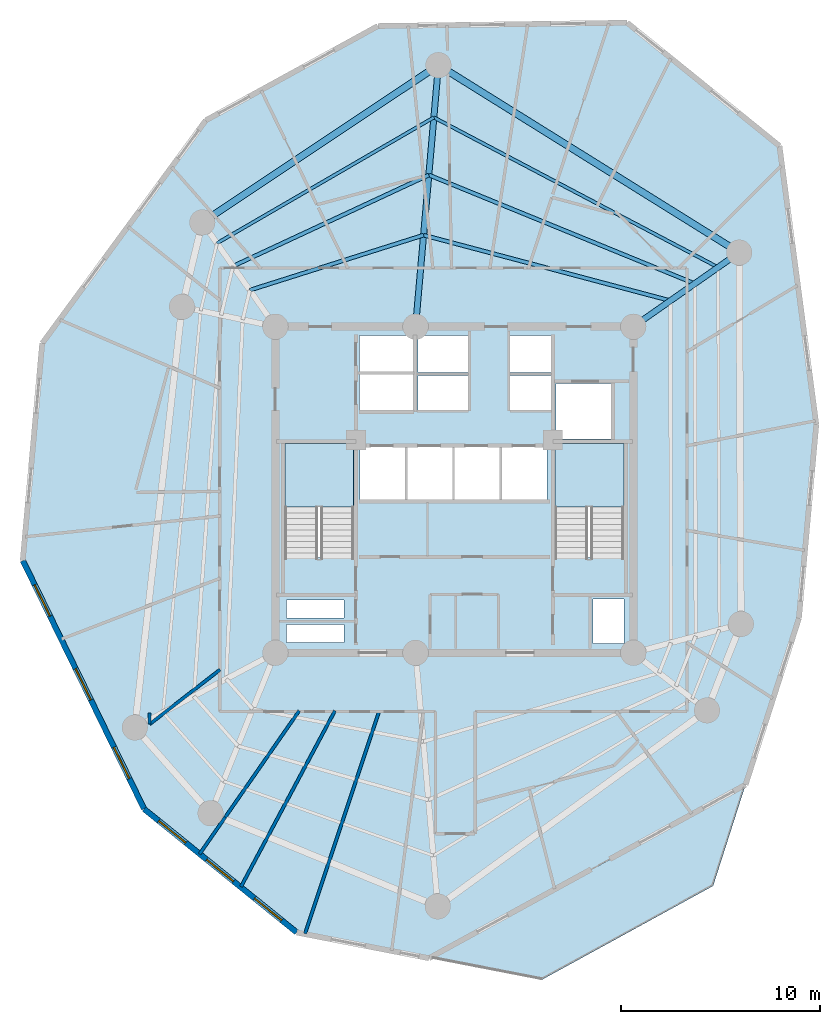
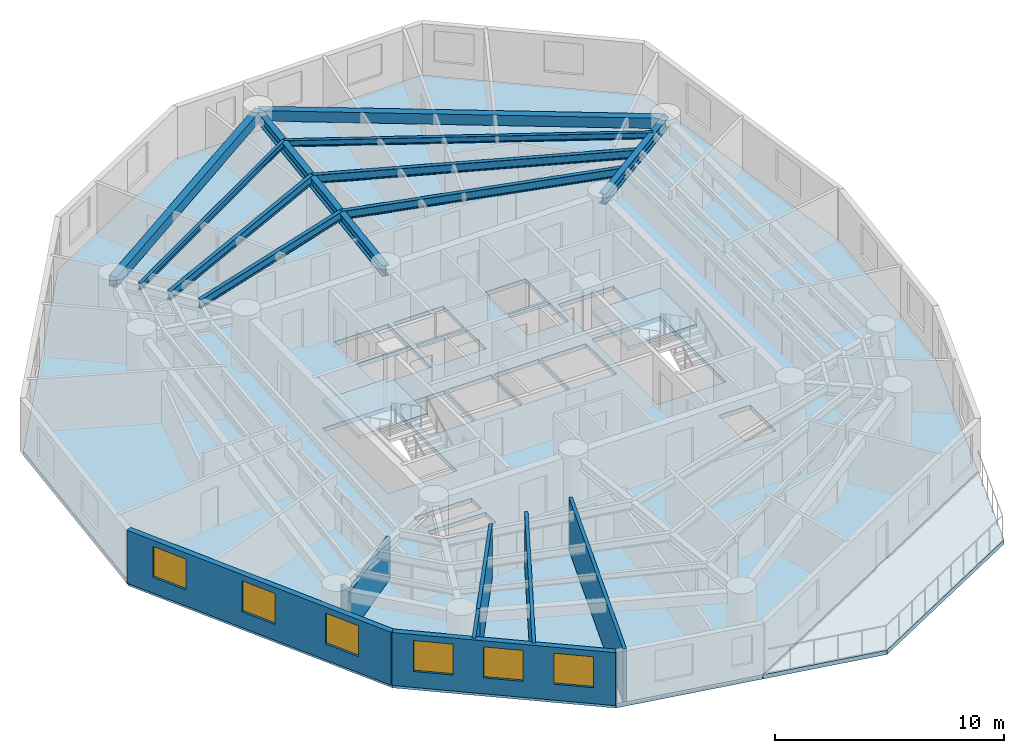
# One storey, part 2 of 8: 10 beams, 8 walls, 6 windows, 4 slabs, 6 openings, 2 elements without a shape of their own.
"""IFC4 building model written with IfcOpenShell, lengths in metres."""

from ifc_helpers import new_model, si_unit, direction, frame, frame_2d, origin, origin_with_axes, origin_2d, place, context, subcontext, project, spatial, polyline, rectangle, i_section, outline, extrude, source, transform, mapped, material, layer, layer_set, material_profile, profile_set, type_object, element, fill, aggregate, save


model = new_model("IFC4")

# Units and contexts
model_context = context("Model", 3, precision=1e-05, world=origin(), true_north=direction((0.0, 1.0)))
body_context = subcontext(model_context, "Body", "Model", "MODEL_VIEW")
ifc_project = project(units=[si_unit("LENGTHUNIT", "METRE"), si_unit("AREAUNIT", "SQUARE_METRE"), si_unit("VOLUMEUNIT", "CUBIC_METRE"), si_unit("PLANEANGLEUNIT", "RADIAN"), si_unit("MASSUNIT", "GRAM", prefix="KILO")], contexts=[model_context])

# Site, building, storey
site_placement = place(None, origin())
site = spatial("IfcSite", under=ifc_project, at=site_placement, CompositionType="ELEMENT")
building_placement = place(site_placement, origin())
building = spatial("IfcBuilding", under=site, at=building_placement, Name="Karkom Vertical University and Central Library", CompositionType="ELEMENT")
storey_placement = place(building_placement, frame((0.0, 0.0, 174.85009765625)))
storey = spatial("IfcBuildingStorey", under=building, at=storey_placement, Name="L50", CompositionType="ELEMENT", Elevation=174.85009765625)

# Beams
ifc_material_1 = material(Name="Precast concrete C45/55", Category="concrete")
ifc_material_profile_1 = material_profile(ifc_material_1, rectangle(XDim=0.35009765625, YDim=0.550048828125, at=origin_2d()), Name="SPB-350x550")
ifc_profile_set_1 = profile_set([ifc_material_profile_1], Name="Precast concrete C45/55")
beam_type_1 = type_object("IfcBeamType", Name="STR-BM-SP-2", PredefinedType="SPANDREL", material=ifc_profile_set_1)
shared_shape_1 = source(origin_with_axes(), body_context, "Body", "SweptSolid", [
    extrude(rectangle(XDim=0.35009765625, YDim=0.550048828125, at=origin_2d()), origin(), (0.0, 0.0, 1.0), 17.81884765625),
])
beam_1_placement = place(storey_placement, frame((42.823974609375, 38.427978515625, 2.5498046875), z_axis=(-0.848764070164, 0.528771740167, 0.0), x_axis=(-0.528771740167, -0.848764070164, 0.0)))
element("IfcBeam", 1, at=beam_1_placement, inside=storey, type_object=beam_type_1, Name="Level 50 Perimeter Spandrel Beam 02", PredefinedType="SPANDREL", context=body_context, shape_type="MappedRepresentation", body=[
    mapped(shared_shape_1, transform((0.0, 0.0, 0.0), scale=1.0)),
])
shared_shape_2 = source(origin_with_axes(), body_context, "Body", "SweptSolid", [
    extrude(rectangle(XDim=0.35009765625, YDim=0.550048828125, at=origin_2d()), origin(), (0.0, 0.0, 1.0), 14.26318359375),
])
beam_2_placement = place(storey_placement, frame((27.699951171875, 47.85009765625, 2.5498046875), z_axis=(-0.83227406272, -0.554364396876, 0.0), x_axis=(0.554364396876, -0.83227406272, 0.0)))
element("IfcBeam", 2, at=beam_2_placement, inside=storey, type_object=beam_type_1, Name="Level 50 Perimeter Spandrel Beam 03", PredefinedType="SPANDREL", context=body_context, shape_type="MappedRepresentation", body=[
    mapped(shared_shape_2, transform((0.0, 0.0, 0.0), scale=1.0)),
])
ifc_material_2 = material(Name="Steel S355", Category="steel")
ifc_material_profile_2 = material_profile(ifc_material_2, i_section(OverallWidth=0.18994140625, OverallDepth=0.449951171875, WebThickness=0.009521484375, FlangeThickness=0.0146484375, FilletRadius=0.02099609375, at=origin_2d()), Name="IPE 450")
ifc_profile_set_2 = profile_set([ifc_material_profile_2], Name="Steel S355")
beam_type_2 = type_object("IfcBeamType", Name="STR-BM-SB-IPE450", PredefinedType="BEAM", material=ifc_profile_set_2)
shared_shape_3 = source(origin_with_axes(), body_context, "Body", "SweptSolid", [
    extrude(i_section(OverallWidth=0.18994140625, OverallDepth=0.449951171875, WebThickness=0.009521484375, FlangeThickness=0.0146484375, FilletRadius=0.02099609375, at=origin_2d()), origin(), (0.0, 0.0, 1.0), 12.841552734375),
])
beam_3_placement = place(storey_placement, frame((39.36328125, 36.0048828125, 2.599853515625), z_axis=(-0.96646647674, 0.256792814032, 0.0), x_axis=(-0.256792814032, -0.96646647674, 0.0)))
element("IfcBeam", 3, at=beam_3_placement, inside=storey, type_object=beam_type_2, Name="Level 50 Secondary Composite Floor Beam 1.02", PredefinedType="BEAM", context=body_context, shape_type="MappedRepresentation", body=[
    mapped(shared_shape_3, transform((0.0, 0.0, 0.0), scale=1.0)),
])
shared_shape_4 = source(origin_with_axes(), body_context, "Body", "SweptSolid", [
    extrude(i_section(OverallWidth=0.18994140625, OverallDepth=0.449951171875, WebThickness=0.009521484375, FlangeThickness=0.0146484375, FilletRadius=0.02099609375, at=origin_2d()), origin(), (0.0, 0.0, 1.0), 9.1650390625),
])
beam_4_placement = place(storey_placement, frame((26.952392578125, 39.302490234375, 2.599853515625), z_axis=(-0.953318200449, -0.301967562319, 0.0), x_axis=(0.301967562319, -0.953318200449, 0.0)))
element("IfcBeam", 4, at=beam_4_placement, inside=storey, type_object=beam_type_2, Name="Level 50 Secondary Composite Floor Beam 1.03", PredefinedType="BEAM", context=body_context, shape_type="MappedRepresentation", body=[
    mapped(shared_shape_4, transform((0.0, 0.0, 0.0), scale=1.0)),
])
shared_shape_5 = source(origin_with_axes(), body_context, "Body", "SweptSolid", [
    extrude(i_section(OverallWidth=0.18994140625, OverallDepth=0.449951171875, WebThickness=0.009521484375, FlangeThickness=0.0146484375, FilletRadius=0.02099609375, at=origin_2d()), origin(), (0.0, 0.0, 1.0), 14.4443359375),
])
beam_5_placement = place(storey_placement, frame((40.587890625, 36.8623046875, 2.599853515625), z_axis=(-0.925675328736, 0.378318894281, 0.0), x_axis=(-0.378318894281, -0.925675328736, 0.0)))
element("IfcBeam", 5, at=beam_5_placement, inside=storey, type_object=beam_type_2, Name="Level 50 Secondary Composite Floor Beam 2.02", PredefinedType="BEAM", context=body_context, shape_type="MappedRepresentation", body=[
    mapped(shared_shape_5, transform((0.0, 0.0, 0.0), scale=1.0)),
])
shared_shape_6 = source(origin_with_axes(), body_context, "Body", "SweptSolid", [
    extrude(i_section(OverallWidth=0.18994140625, OverallDepth=0.449951171875, WebThickness=0.009521484375, FlangeThickness=0.0146484375, FilletRadius=0.02099609375, at=origin_2d()), origin(), (0.0, 0.0, 1.0), 10.86181640625),
])
beam_6_placement = place(storey_placement, frame((27.217041015625, 42.326904296875, 2.599853515625), z_axis=(-0.90649871419, -0.422208575436, 0.0), x_axis=(0.422208575436, -0.90649871419, 0.0)))
element("IfcBeam", 6, at=beam_6_placement, inside=storey, type_object=beam_type_2, Name="Level 50 Secondary Composite Floor Beam 2.03", PredefinedType="BEAM", context=body_context, shape_type="MappedRepresentation", body=[
    mapped(shared_shape_6, transform((0.0, 0.0, 0.0), scale=1.0)),
])
ifc_material_profile_3 = material_profile(ifc_material_2, i_section(OverallWidth=0.159912109375, OverallDepth=0.330078125, WebThickness=0.007568359375, FlangeThickness=0.011474609375, FilletRadius=0.01806640625, at=origin_2d()), Name="IPE 330")
ifc_profile_set_3 = profile_set([ifc_material_profile_3], Name="Steel S355")
beam_type_3 = type_object("IfcBeamType", Name="STR-BM-SB-IPE330", PredefinedType="BEAM", material=ifc_profile_set_3)
shared_shape_7 = source(origin_with_axes(), body_context, "Body", "SweptSolid", [
    extrude(i_section(OverallWidth=0.159912109375, OverallDepth=0.330078125, WebThickness=0.007568359375, FlangeThickness=0.011474609375, FilletRadius=0.01806640625, at=origin_2d()), origin(), (0.0, 0.0, 1.0), 16.155517578125),
])
beam_7_placement = place(storey_placement, frame((41.75927734375, 37.682373046875, 2.659912109375), z_axis=(-0.884486447848, 0.466565883423, 0.0), x_axis=(-0.466565883423, -0.884486447848, 0.0)))
element("IfcBeam", 7, at=beam_7_placement, inside=storey, type_object=beam_type_3, Name="Level 50 Secondary Composite Floor Beam 3.02", PredefinedType="BEAM", context=body_context, shape_type="MappedRepresentation", body=[
    mapped(shared_shape_7, transform((0.0, 0.0, 0.0), scale=1.0)),
])
shared_shape_8 = source(origin_with_axes(), body_context, "Body", "SweptSolid", [
    extrude(i_section(OverallWidth=0.159912109375, OverallDepth=0.330078125, WebThickness=0.007568359375, FlangeThickness=0.011474609375, FilletRadius=0.01806640625, at=origin_2d()), origin(), (0.0, 0.0, 1.0), 12.6083984375),
])
beam_8_placement = place(storey_placement, frame((27.469970703125, 45.219970703125, 2.659912109375), z_axis=(-0.865038920595, -0.50170475965, 0.0), x_axis=(0.50170475965, -0.865038920595, 0.0)))
element("IfcBeam", 8, at=beam_8_placement, inside=storey, type_object=beam_type_3, Name="Level 50 Secondary Composite Floor Beam 3.03", PredefinedType="BEAM", context=body_context, shape_type="MappedRepresentation", body=[
    mapped(shared_shape_8, transform((0.0, 0.0, 0.0), scale=1.0)),
])
ifc_material_profile_4 = material_profile(ifc_material_2, i_section(OverallWidth=0.300048828125, OverallDepth=0.550048828125, WebThickness=0.014892578125, FlangeThickness=0.029052734375, FilletRadius=0.027099609375, at=origin_2d()), Name="HE 550 B")
ifc_profile_set_4 = profile_set([ifc_material_profile_4], Name="Steel S355")
beam_type_4 = type_object("IfcBeamType", Name="STR-BM-SB-HE550", PredefinedType="USERDEFINED", material=ifc_profile_set_4)
shared_shape_9 = source(origin_with_axes(), body_context, "Body", "SweptSolid", [
    extrude(i_section(OverallWidth=0.300048828125, OverallDepth=0.550048828125, WebThickness=0.014892578125, FlangeThickness=0.029052734375, FilletRadius=0.027099609375, at=origin_2d()), origin(), (0.0, 0.0, 1.0), 6.49951171875),
])
beam_9_placement = place(storey_placement, frame((37.5, 34.699951171875, 2.5498046875), z_axis=(0.819141909878, 0.573590909517, 0.0), x_axis=(-0.573590909517, 0.819141909878, 0.0)))
element("IfcBeam", 9, at=beam_9_placement, inside=storey, type_object=beam_type_4, Name="Level 50 Radial Frame Girder 02", ObjectType="GIRDER", PredefinedType="USERDEFINED", context=body_context, shape_type="MappedRepresentation", body=[
    mapped(shared_shape_9, transform((0.0, 0.0, 0.0), scale=1.0)),
])
shared_shape_10 = source(origin_with_axes(), body_context, "Body", "SweptSolid", [
    extrude(i_section(OverallWidth=0.300048828125, OverallDepth=0.550048828125, WebThickness=0.014892578125, FlangeThickness=0.029052734375, FilletRadius=0.027099609375, at=origin_2d()), origin(), (0.0, 0.0, 1.0), 13.200439453125),
])
beam_10_placement = place(storey_placement, frame((26.550048828125, 34.699951171875, 2.5498046875), z_axis=(0.087111657164, 0.996198554098, 0.0), x_axis=(-0.996198554098, 0.087111657164, 0.0)))
element("IfcBeam", 10, at=beam_10_placement, inside=storey, type_object=beam_type_4, Name="Level 50 Radial Frame Girder 03", ObjectType="GIRDER", PredefinedType="USERDEFINED", context=body_context, shape_type="MappedRepresentation", body=[
    mapped(shared_shape_10, transform((0.0, 0.0, 0.0), scale=1.0)),
])

# Stair, slab
ifc_material_3 = material(Name="Concrete C45/55", Category="concrete")
stair_type = type_object("IfcStairType", Name="INT-STR-ST-MAIN", PredefinedType="HALF_TURN_STAIR", material=ifc_material_3)
stair_1_placement = place(storey_placement, origin())
stair_1 = element("IfcStair", 11, at=stair_1_placement, inside=storey, type_object=stair_type, Name="Level 50 Tower Protected Exit Stair ST-1", PredefinedType="HALF_TURN_STAIR")
ifc_layer_1 = layer(ifc_material_3, 0.199951171875)
ifc_layer_set_1 = layer_set([ifc_layer_1], Name="Concrete C45/55")
slab_type_1 = type_object("IfcSlabType", Name="INT-SLB-LANDING", PredefinedType="LANDING", material=ifc_layer_set_1)
slab_1_placement = place(storey_placement, frame((0.0, 0.0, 1.324951171875)))
slab_1 = element("IfcSlab", 12, at=slab_1_placement, type_object=slab_type_1, Name="ST-1 landing 1", PredefinedType="LANDING", context=body_context, shape_type="SweptSolid", body=[
    extrude(outline(polyline([(23.43994140625, 25.6298828125), (23.43994140625, 28.820068359375), (19.97998046875, 28.820068359375), (19.97998046875, 25.6298828125), (23.43994140625, 25.6298828125)])), origin(), (0.0, 0.0, 1.0), 0.199951171875),
])
aggregate(stair_1, [slab_1])

stair_2_placement = place(storey_placement, origin())
stair_2 = element("IfcStair", 13, at=stair_2_placement, inside=storey, type_object=stair_type, Name="Level 50 Tower Protected Exit Stair ST-2", PredefinedType="HALF_TURN_STAIR")
slab_2_placement = place(storey_placement, frame((0.0, 0.0, 1.324951171875)))
slab_2 = element("IfcSlab", 14, at=slab_2_placement, type_object=slab_type_1, Name="ST-2 landing 1", PredefinedType="LANDING", context=body_context, shape_type="SweptSolid", body=[
    extrude(outline(polyline([(37.02001953125, 25.6298828125), (37.02001953125, 28.820068359375), (33.56005859375, 28.820068359375), (33.56005859375, 25.6298828125), (37.02001953125, 25.6298828125)])), origin(), (0.0, 0.0, 1.0), 0.199951171875),
])
aggregate(stair_2, [slab_2])

# Slabs
ifc_layer_2 = layer(ifc_material_3, 0.22509765625)
ifc_layer_set_2 = layer_set([ifc_layer_2], Name="Concrete C45/55")
slab_type_2 = type_object("IfcSlabType", Name="STR-SLB-FLR-225", PredefinedType="FLOOR", material=ifc_layer_set_2)
slab_3_placement = place(storey_placement, frame((0.0, 0.0, -0.22509765625)))
element("IfcSlab", 15, at=slab_3_placement, inside=storey, type_object=slab_type_2, Name="Level 50 Tower Structural Floor Slab", PredefinedType="FLOOR", context=body_context, shape_type="SweptSolid", body=[
    extrude(outline(polyline([(6.80029296875, 22.939208984375), (12.900390625, 10.444580078125), (20.572021484375, 4.240234375), (27.2265625, 2.947509765625), (43.1416015625, 11.66943359375), (45.822998046875, 20.03271484375), (46.69677734375, 29.78466796875), (44.84423828125, 43.7880859375), (37.189208984375, 49.979248046875), (24.655517578125, 49.814697265625), (16.003173828125, 45.072998046875), (7.779052734375, 33.86181640625), (6.80029296875, 22.939208984375)]), holes=[polyline([(19.97998046875, 23.0849609375), (23.43994140625, 23.0849609375), (23.43994140625, 28.820068359375), (19.97998046875, 28.820068359375), (19.97998046875, 23.0849609375)]), polyline([(33.56005859375, 23.0849609375), (37.02001953125, 23.0849609375), (37.02001953125, 28.820068359375), (33.56005859375, 28.820068359375), (33.56005859375, 23.0849609375)]), polyline([(23.75, 26.0), (26.030029296875, 26.0), (26.030029296875, 28.64990234375), (23.75, 28.64990234375), (23.75, 26.0)]), polyline([(26.1298828125, 26.0), (28.409912109375, 26.0), (28.409912109375, 28.64990234375), (26.1298828125, 28.64990234375), (26.1298828125, 26.0)]), polyline([(28.510009765625, 26.0), (30.7900390625, 26.0), (30.7900390625, 28.64990234375), (28.510009765625, 28.64990234375), (28.510009765625, 26.0)]), polyline([(30.889892578125, 26.0), (33.169921875, 26.0), (33.169921875, 28.64990234375), (30.889892578125, 28.64990234375), (30.889892578125, 26.0)]), polyline([(26.679931640625, 30.5), (29.199951171875, 30.5), (29.199951171875, 32.25), (26.679931640625, 32.25), (26.679931640625, 30.5)]), polyline([(26.679931640625, 32.39990234375), (29.199951171875, 32.39990234375), (29.199951171875, 34.25), (26.679931640625, 34.25), (26.679931640625, 32.39990234375)]), polyline([(31.300048828125, 30.5), (33.35009765625, 30.5), (33.35009765625, 32.25), (31.300048828125, 32.25), (31.300048828125, 30.5)]), polyline([(31.300048828125, 32.39990234375), (33.35009765625, 32.39990234375), (33.35009765625, 34.25), (31.300048828125, 34.25), (31.300048828125, 32.39990234375)]), polyline([(23.719970703125, 30.47998046875), (26.429931640625, 30.47998046875), (26.429931640625, 32.320068359375), (23.719970703125, 32.320068359375), (23.719970703125, 30.47998046875)]), polyline([(23.719970703125, 32.419921875), (26.429931640625, 32.419921875), (26.429931640625, 34.260009765625), (23.719970703125, 34.260009765625), (23.719970703125, 32.419921875)]), polyline([(33.60009765625, 29.050048828125), (36.39990234375, 29.050048828125), (36.39990234375, 31.85009765625), (33.60009765625, 31.85009765625), (33.60009765625, 29.050048828125)]), polyline([(20.050048828125, 18.820068359375), (22.949951171875, 18.820068359375), (22.949951171875, 19.719970703125), (20.050048828125, 19.719970703125), (20.050048828125, 18.820068359375)]), polyline([(20.050048828125, 20.06005859375), (22.949951171875, 20.06005859375), (22.949951171875, 20.9599609375), (20.050048828125, 20.9599609375), (20.050048828125, 20.06005859375)]), polyline([(35.4599609375, 18.760009765625), (37.0400390625, 18.760009765625), (37.0400390625, 21.010009765625), (35.4599609375, 21.010009765625), (35.4599609375, 18.760009765625)])]), origin(), (0.0, 0.0, 1.0), 0.22509765625),
])
ifc_layer_3 = layer(ifc_material_3, 0.199951171875)
ifc_layer_set_3 = layer_set([ifc_layer_3], Name="Concrete C45/55")
slab_type_3 = type_object("IfcSlabType", Name="STR-SLB-PLN-260", PredefinedType="USERDEFINED", material=ifc_layer_set_3)
slab_4_placement = place(storey_placement, frame((0.0, 0.0, -0.22509765625)))
element("IfcSlab", 16, at=slab_4_placement, inside=storey, type_object=slab_type_3, Name="Level 50 Spiral Sky Garden Planter Terrace", ObjectType="PLANTER", PredefinedType="USERDEFINED", context=body_context, shape_type="SweptSolid", body=[
    extrude(outline(polyline([(41.510498046875, 6.58154296875), (32.876708984375, 1.85009765625), (27.25732421875, 2.941650390625), (43.1328125, 11.641845703125), (41.510498046875, 6.58154296875)])), origin(), (0.0, 0.0, 1.0), 0.22509765625),
])

# Wall, openings, windows
ifc_material_4 = material(Name="Brick-faced precast concrete C45/55", Category="masonry")
ifc_layer_4 = layer(ifc_material_4, 0.280029296875)
ifc_layer_set_4 = layer_set([ifc_layer_4], Name="Brick-faced precast concrete C45/55")
wall_type_1 = type_object("IfcWallType", Name="ENV-WL-BRK-280", PredefinedType="SOLIDWALL", material=ifc_layer_set_4)
wall_1_placement = place(storey_placement, frame((6.80029296875, 22.939208984375, 0.0), z_axis=(0.0, 0.0, 1.0), x_axis=(0.438723195054, -0.898622255523, 0.0)))
wall_1 = element("IfcWall", 17, at=wall_1_placement, inside=storey, type_object=wall_type_1, Name="Level 50 Brick-Faced Precast Facade Wall 01", PredefinedType="SOLIDWALL", context=body_context, shape_type="SweptSolid", body=[
    extrude(rectangle(XDim=13.904296875, YDim=0.280029296875, at=frame_2d((6.9521484375, 0.0))), origin(), (0.0, 0.0, 1.0), 2.824951171875),
])
opening_1_placement = place(wall_1_placement, frame((1.357421875, 0.0, 0.85009765625)))
opening_1 = element("IfcOpeningElement", 18, at=opening_1_placement, cuts=wall_1, Name="Opening WN-08", PredefinedType="OPENING", context=body_context, shape_type="SweptSolid", body=[
    extrude(rectangle(XDim=1.75, YDim=1.64990234375, at=frame_2d((0.875, 0.824951171875))), frame((0.0, 0.14990234375, 0.0), z_axis=(0.0, -1.0, 0.0), x_axis=(1.0, 0.0, 0.0)), (0.0, 0.0, 1.0), 0.300048828125),
])
opening_2_placement = place(wall_1_placement, frame((6.0498046875, 0.0, 0.85009765625)))
opening_2 = element("IfcOpeningElement", 19, at=opening_2_placement, cuts=wall_1, Name="Opening WN-08", PredefinedType="OPENING", context=body_context, shape_type="SweptSolid", body=[
    extrude(rectangle(XDim=1.75, YDim=1.64990234375, at=frame_2d((0.875, 0.824951171875))), frame((0.0, 0.14990234375, 0.0), z_axis=(0.0, -1.0, 0.0), x_axis=(1.0, 0.0, 0.0)), (0.0, 0.0, 1.0), 0.300048828125),
])
opening_3_placement = place(wall_1_placement, frame((10.44921875, 0.0, 0.85009765625)))
opening_3 = element("IfcOpeningElement", 20, at=opening_3_placement, cuts=wall_1, Name="Opening WN-08", PredefinedType="OPENING", context=body_context, shape_type="SweptSolid", body=[
    extrude(rectangle(XDim=1.75, YDim=1.64990234375, at=frame_2d((0.875, 0.824951171875))), frame((0.0, 0.14990234375, 0.0), z_axis=(0.0, -1.0, 0.0), x_axis=(1.0, 0.0, 0.0)), (0.0, 0.0, 1.0), 0.300048828125),
])
ifc_material_5 = material(Name="Aluminium thermal-break frame with solar-control IGU", Category="aluminium")
window_type = type_object("IfcWindowType", Name="ENV-WIN-WN-08", PartitioningType="SINGLE_PANEL", PredefinedType="WINDOW", material=ifc_material_5)
shared_shape_11 = source(origin_with_axes(), body_context, "Body", "SweptSolid", [
    extrude(rectangle(XDim=1.75, YDim=1.64990234375, at=frame_2d((0.875, 0.824951171875))), frame((0.0, 0.030029296875, 0.0), z_axis=(0.0, -1.0, 0.0), x_axis=(1.0, 0.0, 0.0)), (0.0, 0.0, 1.0), 0.06005859375),
])
window_1_placement = place(opening_1_placement, origin())
window_1 = element("IfcWindow", 21, at=window_1_placement, inside=storey, type_object=window_type, Name="Level 50 Punched Window 1.1", OverallHeight=1.64990234375, OverallWidth=1.75, PartitioningType="SINGLE_PANEL", PredefinedType="WINDOW", context=body_context, shape_type="MappedRepresentation", body=[
    mapped(shared_shape_11, transform((0.0, 0.0, 0.0), scale=1.0)),
])
fill(opening_1, window_1)
window_2_placement = place(opening_2_placement, origin())
window_2 = element("IfcWindow", 22, at=window_2_placement, inside=storey, type_object=window_type, Name="Level 50 Punched Window 1.2", OverallHeight=1.64990234375, OverallWidth=1.75, PartitioningType="SINGLE_PANEL", PredefinedType="WINDOW", context=body_context, shape_type="MappedRepresentation", body=[
    mapped(shared_shape_11, transform((0.0, 0.0, 0.0), scale=1.0)),
])
fill(opening_2, window_2)
window_3_placement = place(opening_3_placement, origin())
window_3 = element("IfcWindow", 23, at=window_3_placement, inside=storey, type_object=window_type, Name="Level 50 Punched Window 1.3", OverallHeight=1.64990234375, OverallWidth=1.75, PartitioningType="SINGLE_PANEL", PredefinedType="WINDOW", context=body_context, shape_type="MappedRepresentation", body=[
    mapped(shared_shape_11, transform((0.0, 0.0, 0.0), scale=1.0)),
])
fill(opening_3, window_3)

wall_2_placement = place(storey_placement, frame((12.900390625, 10.444580078125, 0.0), z_axis=(0.0, 0.0, 1.0), x_axis=(0.77754327528, -0.628829432412, 0.0)))
wall_2 = element("IfcWall", 24, at=wall_2_placement, inside=storey, type_object=wall_type_1, Name="Level 50 Brick-Faced Precast Facade Wall 02", PredefinedType="SOLIDWALL", context=body_context, shape_type="SweptSolid", body=[
    extrude(rectangle(XDim=9.866455078125, YDim=0.280029296875, at=frame_2d((4.93310546875, 0.0))), origin(), (0.0, 0.0, 1.0), 2.824951171875),
])
opening_4_placement = place(wall_2_placement, frame((0.947998046875, 0.0, 0.85009765625)))
opening_4 = element("IfcOpeningElement", 25, at=opening_4_placement, cuts=wall_2, Name="Opening WN-08", PredefinedType="OPENING", context=body_context, shape_type="SweptSolid", body=[
    extrude(rectangle(XDim=1.75, YDim=1.64990234375, at=frame_2d((0.875, 0.824951171875))), frame((0.0, 0.14990234375, 0.0), z_axis=(0.0, -1.0, 0.0), x_axis=(1.0, 0.0, 0.0)), (0.0, 0.0, 1.0), 0.300048828125),
])
opening_5_placement = place(wall_2_placement, frame((4.0361328125, 0.0, 0.85009765625)))
opening_5 = element("IfcOpeningElement", 26, at=opening_5_placement, cuts=wall_2, Name="Opening WN-08", PredefinedType="OPENING", context=body_context, shape_type="SweptSolid", body=[
    extrude(rectangle(XDim=1.75, YDim=1.64990234375, at=frame_2d((0.875, 0.824951171875))), frame((0.0, 0.14990234375, 0.0), z_axis=(0.0, -1.0, 0.0), x_axis=(1.0, 0.0, 0.0)), (0.0, 0.0, 1.0), 0.300048828125),
])
opening_6_placement = place(wall_2_placement, frame((7.146240234375, 0.0, 0.85009765625)))
opening_6 = element("IfcOpeningElement", 27, at=opening_6_placement, cuts=wall_2, Name="Opening WN-08", PredefinedType="OPENING", context=body_context, shape_type="SweptSolid", body=[
    extrude(rectangle(XDim=1.75, YDim=1.64990234375, at=frame_2d((0.875, 0.824951171875))), frame((0.0, 0.14990234375, 0.0), z_axis=(0.0, -1.0, 0.0), x_axis=(1.0, 0.0, 0.0)), (0.0, 0.0, 1.0), 0.300048828125),
])
window_4_placement = place(opening_4_placement, origin())
window_4 = element("IfcWindow", 28, at=window_4_placement, inside=storey, type_object=window_type, Name="Level 50 Punched Window 2.1", OverallHeight=1.64990234375, OverallWidth=1.75, PartitioningType="SINGLE_PANEL", PredefinedType="WINDOW", context=body_context, shape_type="MappedRepresentation", body=[
    mapped(shared_shape_11, transform((0.0, 0.0, 0.0), scale=1.0)),
])
fill(opening_4, window_4)
window_5_placement = place(opening_5_placement, origin())
window_5 = element("IfcWindow", 29, at=window_5_placement, inside=storey, type_object=window_type, Name="Level 50 Punched Window 2.2", OverallHeight=1.64990234375, OverallWidth=1.75, PartitioningType="SINGLE_PANEL", PredefinedType="WINDOW", context=body_context, shape_type="MappedRepresentation", body=[
    mapped(shared_shape_11, transform((0.0, 0.0, 0.0), scale=1.0)),
])
fill(opening_5, window_5)
window_6_placement = place(opening_6_placement, origin())
window_6 = element("IfcWindow", 30, at=window_6_placement, inside=storey, type_object=window_type, Name="Level 50 Punched Window 2.3", OverallHeight=1.64990234375, OverallWidth=1.75, PartitioningType="SINGLE_PANEL", PredefinedType="WINDOW", context=body_context, shape_type="MappedRepresentation", body=[
    mapped(shared_shape_11, transform((0.0, 0.0, 0.0), scale=1.0)),
])
fill(opening_6, window_6)

# Walls
ifc_material_6 = material(Name="Insulated metal-stud drywall 160mm", Category="gypsum")
ifc_layer_5 = layer(ifc_material_6, 0.159912109375)
ifc_layer_set_5 = layer_set([ifc_layer_5], Name="Insulated metal-stud drywall 160mm")
wall_type_2 = type_object("IfcWallType", Name="INT-WL-COR-160", PredefinedType="PARTITIONING", material=ifc_layer_set_5)
wall_3_placement = place(storey_placement, frame((24.727294921875, 15.37841796875, 0.0), z_axis=(0.0, 0.0, 1.0), x_axis=(-0.316382932595, -0.948631561758, 0.0)))
element("IfcWall", 31, at=wall_3_placement, inside=storey, type_object=wall_type_2, Name="Level 50 Interior Partition Wall L50-PW-008", PredefinedType="PARTITIONING", context=body_context, shape_type="SweptSolid", body=[
    extrude(rectangle(XDim=11.80029296875, YDim=0.159912109375, at=frame_2d((5.900146484375, 0.0))), origin(), (0.0, 0.0, 1.0), 2.824951171875),
])
wall_4_placement = place(storey_placement, frame((22.497802734375, 15.3896484375, 0.0), z_axis=(0.0, 0.0, 1.0), x_axis=(-0.471121101589, -0.882068539082, 0.0)))
element("IfcWall", 32, at=wall_4_placement, inside=storey, type_object=wall_type_2, Name="Level 50 Interior Partition Wall L50-PW-007", PredefinedType="PARTITIONING", context=body_context, shape_type="SweptSolid", body=[
    extrude(rectangle(XDim=10.03369140625, YDim=0.159912109375, at=frame_2d((5.016845703125, 0.0))), origin(), (0.0, 0.0, 1.0), 2.824951171875),
])
wall_5_placement = place(storey_placement, frame((20.69921875, 15.386962890625, 0.0), z_axis=(0.0, 0.0, 1.0), x_axis=(-0.570926088809, -0.821001462311, 0.0)))
element("IfcWall", 33, at=wall_5_placement, inside=storey, type_object=wall_type_2, Name="Level 50 Interior Partition Wall L50-PW-005", PredefinedType="PARTITIONING", context=body_context, shape_type="SweptSolid", body=[
    extrude(rectangle(XDim=6.5126953125, YDim=0.159912109375, at=frame_2d((3.25634765625, 0.0))), origin(), (0.0, 0.0, 1.0), 2.824951171875),
])
wall_6_placement = place(storey_placement, frame((16.7236328125, 17.456787109375, 0.0), z_axis=(0.0, 0.0, 1.0), x_axis=(-0.79066592858, -0.612247816969, 0.0)))
element("IfcWall", 34, at=wall_6_placement, inside=storey, type_object=wall_type_2, Name="Level 50 Interior Partition Wall L50-PW-003", PredefinedType="PARTITIONING", context=body_context, shape_type="SweptSolid", body=[
    extrude(rectangle(XDim=4.48681640625, YDim=0.159912109375, at=frame_2d((2.243408203125, 0.0))), origin(), (0.0, 0.0, 1.0), 2.27490234375),
])
wall_7_placement = place(storey_placement, frame((16.97802734375, 10.035888671875, 0.0), z_axis=(0.0, 0.0, 1.0), x_axis=(-0.570864559297, -0.821044246639, 0.0)))
element("IfcWall", 35, at=wall_7_placement, inside=storey, type_object=wall_type_2, Name="Level 50 Interior Partition Wall L50-PW-006", PredefinedType="PARTITIONING", context=body_context, shape_type="SweptSolid", body=[
    extrude(rectangle(XDim=2.254150390625, YDim=0.159912109375, at=frame_2d((1.126953125, 0.0))), origin(), (0.0, 0.0, 1.0), 2.824951171875),
])
wall_8_placement = place(storey_placement, frame((13.176025390625, 14.709716796875, 0.0), z_axis=(0.0, 0.0, 1.0), x_axis=(0.0, 1.0, 0.0)))
element("IfcWall", 36, at=wall_8_placement, inside=storey, type_object=wall_type_2, Name="Level 50 Interior Partition Wall L50-PW-004", PredefinedType="PARTITIONING", context=body_context, shape_type="SweptSolid", body=[
    extrude(rectangle(XDim=0.57421875, YDim=0.159912109375, at=frame_2d((0.287109375, 0.0))), origin(), (0.0, 0.0, 1.0), 2.27490234375),
])

save(model, "model.ifc")
